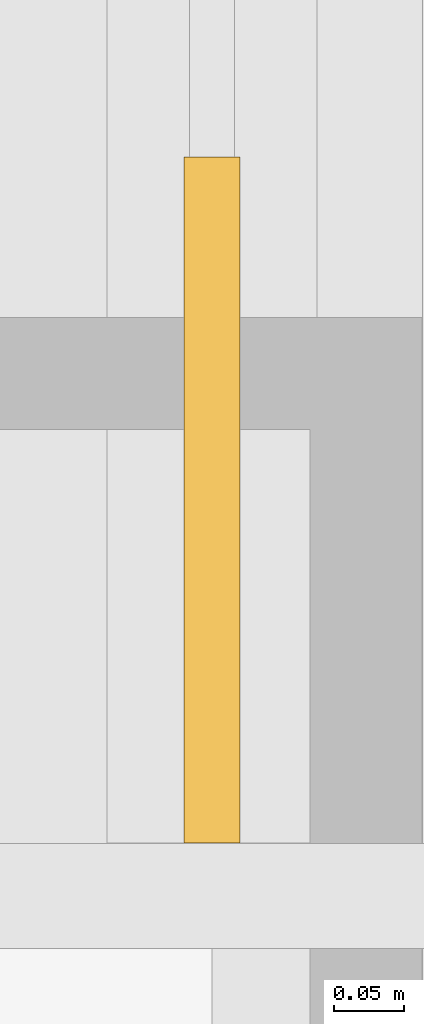
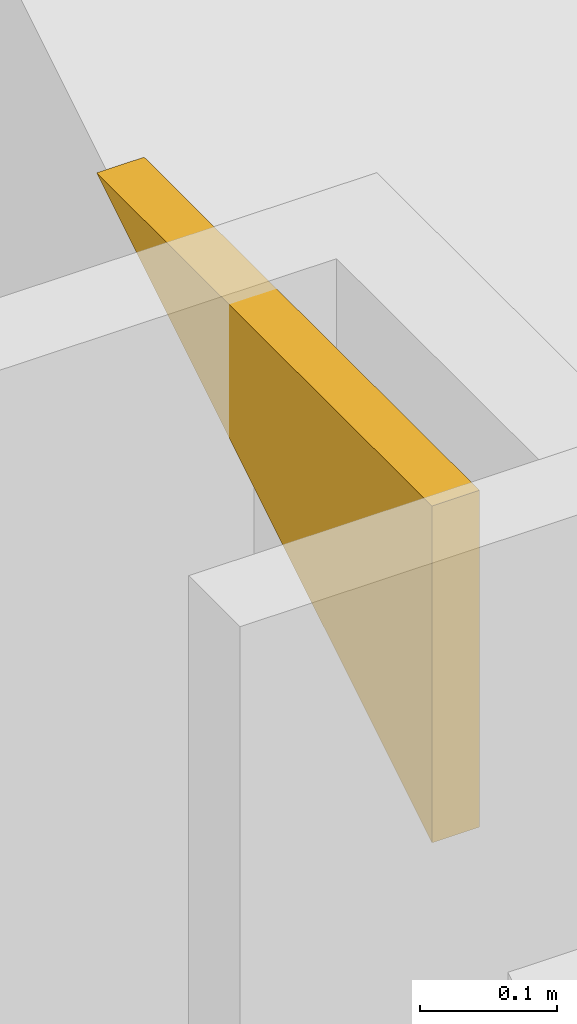
# One storey, part 19 of 21: 1 covering.
"""IFC4 building model written with IfcOpenShell, lengths in metres."""

import ifcopenshell
import ifcopenshell.guid

model = None  # the IFC model being written
_history = None  # IfcOwnerHistory: only IFC2X3 demands one
_inside = {}  # id of a spatial element -> (the spatial element, [elements in it])
_under = {}  # id of a project, library or spatial element -> (it, [spatial elements below it])
_declared = {}  # id of a project -> (the project, [libraries it declares])
_typed = {}  # id of a type object -> (the type object, [elements of that type])
_made_of = {}  # id of a material, layer set ... -> (it, [elements and type objects made of it])


def new_model(schema):
    """Start an empty IFC model of exactly this schema.

    Asked for "IFC4X3", IfcOpenShell would pick the latest addendum, in which some entities
    have other attributes; the version numbers below select the first issue.
    IFC2X3 requires an IfcOwnerHistory on every rooted entity: one is made here for all.
    """
    global model, _history
    if schema == "IFC4X3":
        model = ifcopenshell.file(schema_version=(4, 3, 0, 0))
    else:
        model = ifcopenshell.file(schema=schema)
    _inside.clear()
    _under.clear()
    _declared.clear()
    _typed.clear()
    _made_of.clear()
    _history = None
    if model.schema == "IFC2X3":
        org = make("IfcOrganization", Name="unknown")
        user = make(
            "IfcPersonAndOrganization",
            ThePerson=make("IfcPerson", FamilyName="unknown"),
            TheOrganization=org,
        )
        app = make(
            "IfcApplication",
            ApplicationDeveloper=org,
            Version="unknown",
            ApplicationFullName="unknown",
            ApplicationIdentifier="unknown",
        )
        _history = make(
            "IfcOwnerHistory",
            OwningUser=user,
            OwningApplication=app,
            ChangeAction="ADDED",
            CreationDate=0,
        )
    return model


def make(cls, **values):
    """One entity of the class cls with the attributes given. An attribute that is None is left unset."""
    return model.create_entity(
        cls, **{name: value for name, value in values.items() if value is not None}
    )


def rooted(cls, **values):
    """An entity with a GlobalId (a new one), such as an element, a storey or a relation."""
    return make(cls, GlobalId=ifcopenshell.guid.new(), OwnerHistory=_history, **values)


def si_unit(unit_type, name, prefix=None):
    """IfcSIUnit, for example si_unit("LENGTHUNIT", "METRE", prefix="MILLI")."""
    return make("IfcSIUnit", UnitType=unit_type, Prefix=prefix, Name=name)


def assignment(units):
    """IfcUnitAssignment: the units of a project."""
    return None if units is None else make("IfcUnitAssignment", Units=units)


def point(xyz):
    """IfcCartesianPoint."""
    return None if xyz is None else make("IfcCartesianPoint", Coordinates=xyz)


def direction(xyz):
    """IfcDirection."""
    return None if xyz is None else make("IfcDirection", DirectionRatios=xyz)


def frame(location, z_axis=None, x_axis=None):
    """IfcAxis2Placement3D, a coordinate frame: its origin and axes. An axis left out is left unset."""
    return make(
        "IfcAxis2Placement3D",
        Location=point(location),
        Axis=direction(z_axis),
        RefDirection=direction(x_axis),
    )


def origin():
    """The frame at (0, 0, 0) with its axes left unset."""
    return frame((0.0, 0.0, 0.0))


def place(relative_to, where):
    """IfcLocalPlacement: puts the frame where relative to a parent placement (None: the world)."""
    return make(
        "IfcLocalPlacement", PlacementRelTo=relative_to, RelativePlacement=where
    )


def context(
    kind, dimensions, precision=None, world=None, true_north=None, identifier=None
):
    """IfcGeometricRepresentationContext, for example the 3D "Model" context."""
    return make(
        "IfcGeometricRepresentationContext",
        ContextIdentifier=identifier,
        ContextType=kind,
        CoordinateSpaceDimension=dimensions,
        Precision=precision,
        WorldCoordinateSystem=world,
        TrueNorth=true_north,
    )


def subcontext(parent, identifier, kind, view, scale=None):
    """IfcGeometricRepresentationSubContext, for example "Body" below "Model"."""
    return make(
        "IfcGeometricRepresentationSubContext",
        ContextIdentifier=identifier,
        ContextType=kind,
        ParentContext=parent,
        TargetScale=scale,
        TargetView=view,
    )


def project(units=None, contexts=None):
    """IfcProject with its units and contexts."""
    return rooted(
        "IfcProject",
        Name="project",
        RepresentationContexts=contexts,
        UnitsInContext=assignment(units),
    )


def spatial(cls, under=None, at=None, **own):
    """A site, building, storey or space (cls), placed at a placement, below another one or the project."""
    s = rooted(cls, ObjectPlacement=at, **own)
    if under is not None:
        _under.setdefault(under.id(), (under, []))[1].append(s)
    return s


def polyline(points):
    """IfcPolyline through the points."""
    return make("IfcPolyline", Points=[point(p) for p in points])


def outline(outer, holes=None, kind="AREA"):
    """IfcArbitraryClosedProfileDef: a profile drawn as a closed curve; with holes, ...WithVoids."""
    if holes is None:
        return make("IfcArbitraryClosedProfileDef", ProfileType=kind, OuterCurve=outer)
    return make(
        "IfcArbitraryProfileDefWithVoids",
        ProfileType=kind,
        OuterCurve=outer,
        InnerCurves=holes,
    )


def extrude(swept, where, along, depth):
    """IfcExtrudedAreaSolid: the profile swept, set in the frame where, extruded along a direction by depth."""
    return make(
        "IfcExtrudedAreaSolid",
        SweptArea=swept,
        Position=where,
        ExtrudedDirection=direction(along),
        Depth=depth,
    )


def shape(context_of_items, identifier, shape_type, items):
    """IfcShapeRepresentation: the items that make up one representation, for example the "Body"."""
    return make(
        "IfcShapeRepresentation",
        ContextOfItems=context_of_items,
        RepresentationIdentifier=identifier,
        RepresentationType=shape_type,
        Items=items,
    )


def material(Name=None, Category=None):
    """IfcMaterial."""
    return make("IfcMaterial", Name=Name, Category=Category)


def layer(
    of_material, thickness, ventilated=None, Name=None, Category=None, Priority=None
):
    """IfcMaterialLayer: one layer of a wall or slab, of a material (None: an air gap)."""
    return make(
        "IfcMaterialLayer",
        Material=of_material,
        LayerThickness=thickness,
        IsVentilated=ventilated,
        Name=Name,
        Category=Category,
        Priority=Priority,
    )


def layer_set(layers, Name=None):
    """IfcMaterialLayerSet."""
    return make("IfcMaterialLayerSet", MaterialLayers=layers, LayerSetName=Name)


def made_of(thing, what):
    """Note that an element or type object is made of a material, layer set ...; save() writes the relation."""
    if what is not None:
        _made_of.setdefault(what.id(), (what, []))[1].append(thing)
    return thing


def type_object(cls, material=None, **own):
    """A type object (cls), such as IfcWallType, which elements share."""
    return made_of(rooted(cls, **own), material)


def element(
    cls,
    number,
    at=None,
    inside=None,
    cuts=None,
    type_object=None,
    material=None,
    context=None,
    identifier="Body",
    shape_type=None,
    held_by="IfcProductDefinitionShape",
    body=None,
    shapes=None,
    **own,
):
    """One element of the class cls, such as IfcWall. Its Tag is "e" and its number.

    at: its placement. inside: the storey or other place that contains it. cuts: it is an
    opening in that element (IfcRelVoidsElement). A single representation is given by context,
    identifier, shape_type and body (its items); several are given by shapes. held_by: the class
    of the entity that holds the representations. save() writes the other relations.
    """
    e = rooted(cls, Tag="e%d" % number, ObjectPlacement=at, **own)
    if body is not None:
        shapes = [shape(context, identifier, shape_type, body)]
    if shapes is not None:
        e.Representation = make(held_by, Representations=shapes)
    if inside is not None:
        _inside.setdefault(inside.id(), (inside, []))[1].append(e)
    if cuts is not None:
        rooted(
            "IfcRelVoidsElement", RelatingBuildingElement=cuts, RelatedOpeningElement=e
        )
    if type_object is not None:
        _typed.setdefault(type_object.id(), (type_object, []))[1].append(e)
    return made_of(e, material)


def aggregate(whole, parts):
    """IfcRelAggregates: a whole, such as a stair, and the parts it consists of."""
    return rooted("IfcRelAggregates", RelatingObject=whole, RelatedObjects=parts)


def save(model, path):
    """Write the relations noted so far, then the file.

    IfcRelAggregates (storeys below a building ...), IfcRelContainedInSpatialStructure (elements
    in a storey), IfcRelDefinesByType, IfcRelAssociatesMaterial and IfcRelDeclares: one each for
    every whole, place, type object, material and project.
    """
    for whole, parts in _under.values():
        aggregate(whole, parts)
    for where, things in _inside.values():
        rooted(
            "IfcRelContainedInSpatialStructure",
            RelatedElements=things,
            RelatingStructure=where,
        )
    for kind, things in _typed.values():
        rooted("IfcRelDefinesByType", RelatedObjects=things, RelatingType=kind)
    for what, things in _made_of.values():
        rooted("IfcRelAssociatesMaterial", RelatedObjects=things, RelatingMaterial=what)
    for by, libraries in _declared.values():
        rooted("IfcRelDeclares", RelatingContext=by, RelatedDefinitions=libraries)
    model.write(path)


model = new_model("IFC4")

# Units and contexts
model_context = context("Model", 3, precision=1e-05, world=origin(), true_north=direction((0.0, 1.0)))
body_context = subcontext(model_context, "Body", "Model", "MODEL_VIEW")
ifc_project = project(units=[si_unit("LENGTHUNIT", "METRE"), si_unit("AREAUNIT", "SQUARE_METRE"), si_unit("VOLUMEUNIT", "CUBIC_METRE"), si_unit("PLANEANGLEUNIT", "RADIAN"), si_unit("MASSUNIT", "GRAM", prefix="KILO")], contexts=[model_context])

# Site, building, storey
site_placement = place(None, origin())
site = spatial("IfcSite", under=ifc_project, at=site_placement, CompositionType="ELEMENT")
building_placement = place(site_placement, origin())
building = spatial("IfcBuilding", under=site, at=building_placement, Name="Malebo Sky Hospital", CompositionType="ELEMENT")
storey_placement = place(building_placement, frame((0.0, 0.0, 63.0)))
storey = spatial("IfcBuildingStorey", under=building, at=storey_placement, Name="L14", CompositionType="ELEMENT", Elevation=63.0)

# Covering
ifc_material = material(Name="Anodised aluminium, natural silver insulated infill panel", Category="aluminium")
ifc_layer = layer(ifc_material, 0.0400390625)
ifc_layer_set = layer_set([ifc_layer], Name="BRACE INFILL PANEL 40")
covering_type = type_object("IfcCoveringType", Name="BRACE INFILL PANEL 40", PredefinedType="CLADDING", material=ifc_layer_set)
covering_placement = place(storey_placement, frame((85.5, 41.61962890625, 3.690185546875), z_axis=(0.0, 0.0, 1.0), x_axis=(0.0, -1.0, 0.0)))
element("IfcCovering", 1, at=covering_placement, inside=storey, type_object=covering_type, Name="Brace infill panel 15.1", PredefinedType="CLADDING", context=body_context, shape_type="SweptSolid", body=[
    extrude(outline(polyline([(0.244384765625, 0.0), (0.244384765625, 0.2998046875), (-0.24462890625, 0.2998046875), (0.244384765625, 0.0)])), frame((0.0, 0.02001953125, 0.0), z_axis=(0.0, -1.0, 0.0), x_axis=(1.0, 0.0, 0.0)), (0.0, 0.0, 1.0), 0.0400390625),
])

save(model, "model.ifc")
